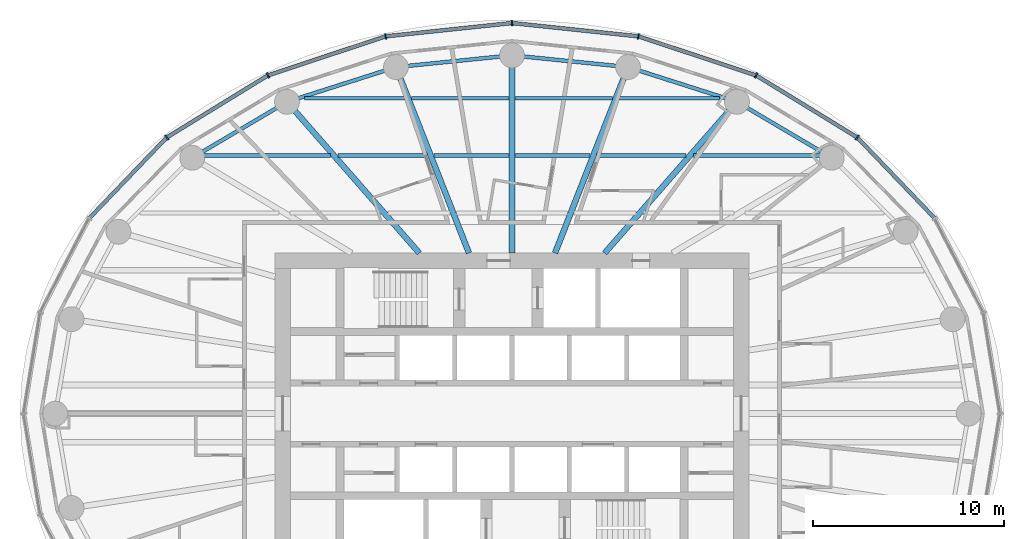
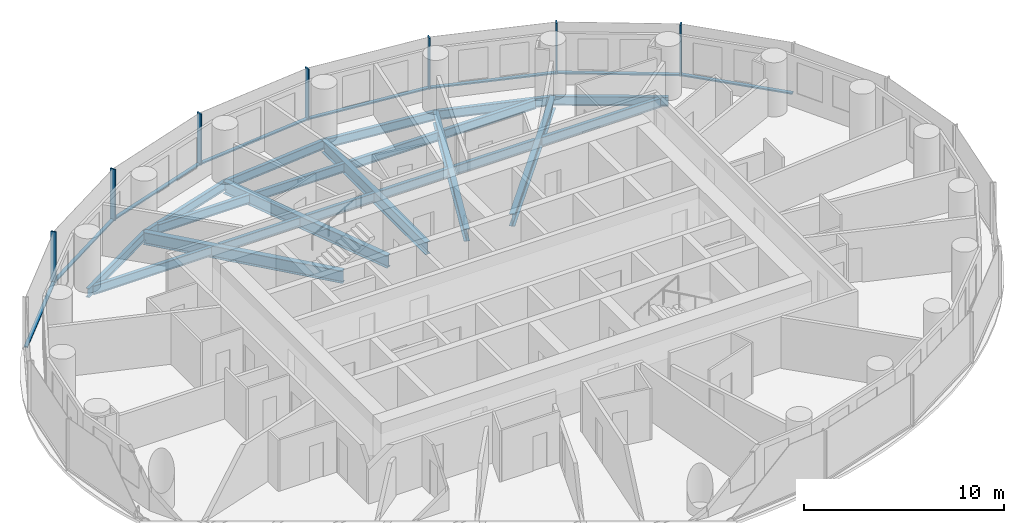
# One storey, part 4 of 13: 21 beams, 15 members, 2 elements without a shape of their own.
"""IFC4 building model written with IfcOpenShell, lengths in metres."""

from ifc_helpers import new_model, si_unit, direction, frame, origin, origin_2d, place, context, subcontext, project, spatial, rectangle, i_section, extrude, material, material_profile, profile_set, type_object, element, aggregate, save


model = new_model("IFC4")

# Units and contexts
model_context = context("Model", 3, precision=1e-05, world=origin(), true_north=direction((0.0, 1.0)))
body_context = subcontext(model_context, "Body", "Model", "MODEL_VIEW")
ifc_project = project(units=[si_unit("LENGTHUNIT", "METRE"), si_unit("AREAUNIT", "SQUARE_METRE"), si_unit("VOLUMEUNIT", "CUBIC_METRE"), si_unit("PLANEANGLEUNIT", "RADIAN"), si_unit("MASSUNIT", "GRAM", prefix="KILO")], contexts=[model_context])

# Site, building, storey
site_placement = place(None, origin())
site = spatial("IfcSite", under=ifc_project, at=site_placement, CompositionType="ELEMENT")
building_placement = place(site_placement, origin())
building = spatial("IfcBuilding", under=site, at=building_placement, Name="Hankou Lantern Tower", CompositionType="ELEMENT")
storey_placement = place(building_placement, frame((0.0, 0.0, 118.800048828125)))
storey = spatial("IfcBuildingStorey", under=building, at=storey_placement, Name="L30", CompositionType="ELEMENT", Elevation=118.800048828125)

# Beams
ifc_material_1 = material(Name="Steel Q355B", Category="steel")
ifc_material_profile_1 = material_profile(ifc_material_1, i_section(OverallWidth=0.199951171875, OverallDepth=0.550048828125, WebThickness=0.010009765625, FlangeThickness=0.01611328125, FilletRadius=0.012939453125, at=origin_2d()), Name="HN550x200x10x16")
ifc_profile_set_1 = profile_set([ifc_material_profile_1], Name="Steel Q355B")
beam_type_1 = type_object("IfcBeamType", Name="EB6 RING BEAM HN550x200x10x16", PredefinedType="SPANDREL", material=ifc_profile_set_1)
beam_1_placement = place(storey_placement, frame((16.73388671875, 13.38720703125, -0.455078125), z_axis=(-0.860988974188, 0.508623619513, 0.0), x_axis=(-0.508623619513, -0.860988974188, 0.0)))
element("IfcBeam", 1, at=beam_1_placement, inside=storey, type_object=beam_type_1, Name="Ring beam R04-R05 L30", PredefinedType="SPANDREL", context=body_context, shape_type="SweptSolid", body=[
    extrude(i_section(OverallWidth=0.199951171875, OverallDepth=0.550048828125, WebThickness=0.010009765625, FlangeThickness=0.01611328125, FilletRadius=0.012939453125, at=origin_2d()), origin(), (0.0, 0.0, 1.0), 5.759033203125),
])
beam_2_placement = place(storey_placement, frame((11.775390625, 16.31640625, -0.455078125), z_axis=(-0.952731090451, 0.303814860215, 0.0), x_axis=(-0.303814860215, -0.952731090451, 0.0)))
element("IfcBeam", 2, at=beam_2_placement, inside=storey, type_object=beam_type_1, Name="Ring beam R05-R06 L30", PredefinedType="SPANDREL", context=body_context, shape_type="SweptSolid", body=[
    extrude(i_section(OverallWidth=0.199951171875, OverallDepth=0.550048828125, WebThickness=0.010009765625, FlangeThickness=0.01611328125, FilletRadius=0.012939453125, at=origin_2d()), origin(), (0.0, 0.0, 1.0), 5.984375),
])
for number, where, z_axis, x_axis, name in (
    (3, (6.073974609375, 18.134521484375, -0.455078125), (-0.994905271594, 0.100814188259, 0.0), (-0.100814188259, -0.994905271594, 0.0), "Ring beam R06-R07 L30"),
    (4, (0.0, 18.75, -0.455078125), (-0.994905271594, -0.100814188259, 0.0), (0.100814188259, -0.994905271594, 0.0), "Ring beam R07-R08 L30"),
):
    element("IfcBeam", number, at=place(storey_placement, frame(where, z_axis=z_axis, x_axis=x_axis)), inside=storey, type_object=beam_type_1, Name=name, PredefinedType="SPANDREL", context=body_context, shape_type="SweptSolid", body=[
        extrude(i_section(OverallWidth=0.199951171875, OverallDepth=0.550048828125, WebThickness=0.010009765625, FlangeThickness=0.01611328125, FilletRadius=0.012939453125, at=origin_2d()), origin(), (0.0, 0.0, 1.0), 6.10498046875),
    ])
beam_3_placement = place(storey_placement, frame((-6.073974609375, 18.134521484375, -0.455078125), z_axis=(-0.952731090451, -0.303814860215, 0.0), x_axis=(0.303814860215, -0.952731090451, 0.0)))
element("IfcBeam", 5, at=beam_3_placement, inside=storey, type_object=beam_type_1, Name="Ring beam R08-R09 L30", PredefinedType="SPANDREL", context=body_context, shape_type="SweptSolid", body=[
    extrude(i_section(OverallWidth=0.199951171875, OverallDepth=0.550048828125, WebThickness=0.010009765625, FlangeThickness=0.01611328125, FilletRadius=0.012939453125, at=origin_2d()), origin(), (0.0, 0.0, 1.0), 5.984375),
])
beam_4_placement = place(storey_placement, frame((-11.775390625, 16.31640625, -0.455078125), z_axis=(-0.860988974188, -0.508623619513, 0.0), x_axis=(0.508623619513, -0.860988974188, 0.0)))
element("IfcBeam", 6, at=beam_4_placement, inside=storey, type_object=beam_type_1, Name="Ring beam R09-R10 L30", PredefinedType="SPANDREL", context=body_context, shape_type="SweptSolid", body=[
    extrude(i_section(OverallWidth=0.199951171875, OverallDepth=0.550048828125, WebThickness=0.010009765625, FlangeThickness=0.01611328125, FilletRadius=0.012939453125, at=origin_2d()), origin(), (0.0, 0.0, 1.0), 5.759033203125),
])

# Curtain wall, members
ifc_material_2 = material(Name="Glass, dark grey tinted laminated", Category="glass")
curtain_wall_type = type_object("IfcCurtainWallType", Name="CWB OUTER SKIN MID-RISE", PredefinedType="USERDEFINED", material=ifc_material_2)
curtain_wall_1_placement = place(storey_placement, origin())
curtain_wall_1 = element("IfcCurtainWall", 7, at=curtain_wall_1_placement, inside=storey, type_object=curtain_wall_type, Name="CWB L30 OS1", ObjectType="OUTER SKIN MID-RISE", PredefinedType="USERDEFINED")
ifc_material_3 = material(Name="Aluminium, black anodised", Category="aluminium")
ifc_material_profile_2 = material_profile(ifc_material_3, rectangle(XDim=0.080078125, YDim=0.300048828125, at=origin_2d()), Name="MU1 80X300")
ifc_profile_set_2 = profile_set([ifc_material_profile_2], Name="Aluminium, black anodised")
member_type_1 = type_object("IfcMemberType", Name="MU1 OUTER SKIN MULLION 80X300", PredefinedType="MULLION", material=ifc_profile_set_2)
member_1_placement = place(storey_placement, frame((18.066650390625, 14.453369140625, 0.0), z_axis=(0.0, 0.0, 1.0), x_axis=(-0.780868809444, 0.624695047553, 0.0)))
member_1 = element("IfcMember", 8, at=member_1_placement, type_object=member_type_1, Name="CWB mullion 4", PredefinedType="MULLION", context=body_context, shape_type="SweptSolid", body=[
    extrude(rectangle(XDim=0.080078125, YDim=0.300048828125, at=origin_2d()), origin(), (0.0, 0.0, 1.0), 3.119873046875),
])
member_2_placement = place(storey_placement, frame((12.77490234375, 17.70166015625, 0.0), z_axis=(0.0, 0.0, 1.0), x_axis=(-0.907841299004, 0.419313934686, 0.0)))
member_2 = element("IfcMember", 9, at=member_2_placement, type_object=member_type_1, Name="CWB mullion 5", PredefinedType="MULLION", context=body_context, shape_type="SweptSolid", body=[
    extrude(rectangle(XDim=0.080078125, YDim=0.300048828125, at=origin_2d()), origin(), (0.0, 0.0, 1.0), 3.119873046875),
])
member_3_placement = place(storey_placement, frame((6.61279296875, 19.743408203125, 0.0), z_axis=(0.0, 0.0, 1.0), x_axis=(-0.977787659625, 0.209597931016, 0.0)))
member_3 = element("IfcMember", 10, at=member_3_placement, type_object=member_type_1, Name="CWB mullion 6", PredefinedType="MULLION", context=body_context, shape_type="SweptSolid", body=[
    extrude(rectangle(XDim=0.080078125, YDim=0.300048828125, at=origin_2d()), origin(), (0.0, 0.0, 1.0), 3.119873046875),
])

curtain_wall_2_placement = place(storey_placement, origin())
curtain_wall_2 = element("IfcCurtainWall", 11, at=curtain_wall_2_placement, inside=storey, type_object=curtain_wall_type, Name="CWB L30 OS2", ObjectType="OUTER SKIN MID-RISE", PredefinedType="USERDEFINED")
member_4_placement = place(storey_placement, frame((0.0, 20.43994140625, 0.0), z_axis=(0.0, 0.0, 1.0), x_axis=(-0.994499359107, -0.104742659579, 0.0)))
member_4 = element("IfcMember", 12, at=member_4_placement, type_object=member_type_1, Name="CWB mullion 1", PredefinedType="MULLION", context=body_context, shape_type="SweptSolid", body=[
    extrude(rectangle(XDim=0.080078125, YDim=0.300048828125, at=origin_2d()), origin(), (0.0, 0.0, 1.0), 3.119873046875),
])
member_5_placement = place(storey_placement, frame((-6.61279296875, 19.743408203125, 0.0), z_axis=(0.0, 0.0, 1.0), x_axis=(-0.977787659625, -0.209597931016, 0.0)))
member_5 = element("IfcMember", 13, at=member_5_placement, type_object=member_type_1, Name="CWB mullion 2", PredefinedType="MULLION", context=body_context, shape_type="SweptSolid", body=[
    extrude(rectangle(XDim=0.080078125, YDim=0.300048828125, at=origin_2d()), origin(), (0.0, 0.0, 1.0), 3.119873046875),
])
member_6_placement = place(storey_placement, frame((-12.77490234375, 17.70166015625, 0.0), z_axis=(0.0, 0.0, 1.0), x_axis=(-0.907841299004, -0.419313934686, 0.0)))
member_6 = element("IfcMember", 14, at=member_6_placement, type_object=member_type_1, Name="CWB mullion 3", PredefinedType="MULLION", context=body_context, shape_type="SweptSolid", body=[
    extrude(rectangle(XDim=0.080078125, YDim=0.300048828125, at=origin_2d()), origin(), (0.0, 0.0, 1.0), 3.119873046875),
])
member_7_placement = place(storey_placement, frame((-18.066650390625, 14.453369140625, 0.0), z_axis=(0.0, 0.0, 1.0), x_axis=(-0.780868809444, -0.624695047553, 0.0)))
member_7 = element("IfcMember", 15, at=member_7_placement, type_object=member_type_1, Name="CWB mullion 4", PredefinedType="MULLION", context=body_context, shape_type="SweptSolid", body=[
    extrude(rectangle(XDim=0.080078125, YDim=0.300048828125, at=origin_2d()), origin(), (0.0, 0.0, 1.0), 3.119873046875),
])

# Beams
ifc_material_4 = material(Name="Steel Q355B", Category="steel")
ifc_material_profile_3 = material_profile(ifc_material_4, i_section(OverallWidth=0.300048828125, OverallDepth=0.75, WebThickness=0.012939453125, FlangeThickness=0.02392578125, FilletRadius=0.01806640625, at=origin_2d()), Name="HN750x300x13x24")
ifc_profile_set_3 = profile_set([ifc_material_profile_3], Name="Steel Q355B")
beam_type_2 = type_object("IfcBeamType", Name="RB10 RADIAL BEAM HN750x300x13x24", PredefinedType="BEAM", material=ifc_profile_set_3)
beam_5_placement = place(storey_placement, frame((4.849853515625, 8.39990234375, -0.554931640625), z_axis=(0.658429014446, 0.752642832249, 0.0), x_axis=(-0.752642832249, 0.658429014446, 0.0)))
element("IfcBeam", 16, at=beam_5_placement, inside=storey, type_object=beam_type_2, Name="Radial beam R05 L30", PredefinedType="BEAM", context=body_context, shape_type="SweptSolid", body=[
    extrude(i_section(OverallWidth=0.300048828125, OverallDepth=0.75, WebThickness=0.012939453125, FlangeThickness=0.02392578125, FilletRadius=0.01806640625, at=origin_2d()), origin(), (0.0, 0.0, 1.0), 10.518310546875),
])
beam_6_placement = place(storey_placement, frame((2.250732421875, 8.39990234375, -0.554931640625), z_axis=(0.365563535437, 0.930786388791, 0.0), x_axis=(-0.930786388791, 0.365563535437, 0.0)))
element("IfcBeam", 17, at=beam_6_placement, inside=storey, type_object=beam_type_2, Name="Radial beam R06 L30", PredefinedType="BEAM", context=body_context, shape_type="SweptSolid", body=[
    extrude(i_section(OverallWidth=0.300048828125, OverallDepth=0.75, WebThickness=0.012939453125, FlangeThickness=0.02392578125, FilletRadius=0.01806640625, at=origin_2d()), origin(), (0.0, 0.0, 1.0), 10.45849609375),
])
beam_7_placement = place(storey_placement, frame((0.0, 8.39990234375, -0.554931640625), z_axis=(0.0, 1.0, 0.0), x_axis=(-1.0, 0.0, 0.0)))
element("IfcBeam", 18, at=beam_7_placement, inside=storey, type_object=beam_type_2, Name="Radial beam R07 L30", PredefinedType="BEAM", context=body_context, shape_type="SweptSolid", body=[
    extrude(i_section(OverallWidth=0.300048828125, OverallDepth=0.75, WebThickness=0.012939453125, FlangeThickness=0.02392578125, FilletRadius=0.01806640625, at=origin_2d()), origin(), (0.0, 0.0, 1.0), 10.35009765625),
])
beam_8_placement = place(storey_placement, frame((-2.250732421875, 8.39990234375, -0.554931640625), z_axis=(-0.365563535437, 0.930786388791, 0.0), x_axis=(-0.930786388791, -0.365563535437, 0.0)))
element("IfcBeam", 19, at=beam_8_placement, inside=storey, type_object=beam_type_2, Name="Radial beam R08 L30", PredefinedType="BEAM", context=body_context, shape_type="SweptSolid", body=[
    extrude(i_section(OverallWidth=0.300048828125, OverallDepth=0.75, WebThickness=0.012939453125, FlangeThickness=0.02392578125, FilletRadius=0.01806640625, at=origin_2d()), origin(), (0.0, 0.0, 1.0), 10.45849609375),
])
beam_9_placement = place(storey_placement, frame((-4.849853515625, 8.39990234375, -0.554931640625), z_axis=(-0.658429014446, 0.752642832249, 0.0), x_axis=(-0.752642832249, -0.658429014446, 0.0)))
element("IfcBeam", 20, at=beam_9_placement, inside=storey, type_object=beam_type_2, Name="Radial beam R09 L30", PredefinedType="BEAM", context=body_context, shape_type="SweptSolid", body=[
    extrude(i_section(OverallWidth=0.300048828125, OverallDepth=0.75, WebThickness=0.012939453125, FlangeThickness=0.02392578125, FilletRadius=0.01806640625, at=origin_2d()), origin(), (0.0, 0.0, 1.0), 10.518310546875),
])
ifc_material_5 = material(Name="Steel Q355B", Category="steel")
ifc_material_profile_4 = material_profile(ifc_material_5, i_section(OverallWidth=0.199951171875, OverallDepth=0.550048828125, WebThickness=0.010009765625, FlangeThickness=0.01611328125, FilletRadius=0.012939453125, at=origin_2d()), Name="HN550x200x10x16")
ifc_profile_set_4 = profile_set([ifc_material_profile_4], Name="Steel Q355B")
beam_type_3 = type_object("IfcBeamType", Name="SB6 SECONDARY BEAM HN550x200x10x16", PredefinedType="JOIST", material=ifc_profile_set_4)
beam_10_placement = place(storey_placement, frame((-16.34619140625, 13.5, -0.455078125), z_axis=(1.0, 0.0, 0.0), x_axis=(0.0, 1.0, 0.0)))
element("IfcBeam", 21, at=beam_10_placement, inside=storey, type_object=beam_type_3, Name="Floor joist J043 L30", PredefinedType="JOIST", context=body_context, shape_type="SweptSolid", body=[
    extrude(i_section(OverallWidth=0.199951171875, OverallDepth=0.550048828125, WebThickness=0.010009765625, FlangeThickness=0.01611328125, FilletRadius=0.012939453125, at=origin_2d()), origin(), (0.0, 0.0, 1.0), 6.83544921875),
])
beam_11_placement = place(storey_placement, frame((-9.112060546875, 13.5, -0.455078125), z_axis=(1.0, 0.0, 0.0), x_axis=(0.0, 1.0, 0.0)))
element("IfcBeam", 22, at=beam_11_placement, inside=storey, type_object=beam_type_3, Name="Floor joist J044 L30", PredefinedType="JOIST", context=body_context, shape_type="SweptSolid", body=[
    extrude(i_section(OverallWidth=0.199951171875, OverallDepth=0.550048828125, WebThickness=0.010009765625, FlangeThickness=0.01611328125, FilletRadius=0.012939453125, at=origin_2d()), origin(), (0.0, 0.0, 1.0), 4.697021484375),
])
for number, where, z_axis, x_axis, name in (
    (23, (-4.092529296875, 13.5, -0.455078125), (1.0, 0.0, 0.0), (0.0, 1.0, 0.0), "Floor joist J045 L30"),
    (24, (0.14990234375, 13.5, -0.455078125), (1.0, 0.0, 0.0), (0.0, 1.0, 0.0), "Floor joist J046 L30"),
):
    element("IfcBeam", number, at=place(storey_placement, frame(where, z_axis=z_axis, x_axis=x_axis)), inside=storey, type_object=beam_type_3, Name=name, PredefinedType="JOIST", context=body_context, shape_type="SweptSolid", body=[
        extrude(i_section(OverallWidth=0.199951171875, OverallDepth=0.550048828125, WebThickness=0.010009765625, FlangeThickness=0.01611328125, FilletRadius=0.012939453125, at=origin_2d()), origin(), (0.0, 0.0, 1.0), 3.942626953125),
    ])
beam_12_placement = place(storey_placement, frame((4.4150390625, 13.5, -0.455078125), z_axis=(1.0, 0.0, 0.0), x_axis=(0.0, 1.0, 0.0)))
element("IfcBeam", 25, at=beam_12_placement, inside=storey, type_object=beam_type_3, Name="Floor joist J047 L30", PredefinedType="JOIST", context=body_context, shape_type="SweptSolid", body=[
    extrude(i_section(OverallWidth=0.199951171875, OverallDepth=0.550048828125, WebThickness=0.010009765625, FlangeThickness=0.01611328125, FilletRadius=0.012939453125, at=origin_2d()), origin(), (0.0, 0.0, 1.0), 4.697021484375),
])
beam_13_placement = place(storey_placement, frame((9.5107421875, 13.5, -0.455078125), z_axis=(1.0, 0.0, 0.0), x_axis=(0.0, 1.0, 0.0)))
element("IfcBeam", 26, at=beam_13_placement, inside=storey, type_object=beam_type_3, Name="Floor joist J048 L30", PredefinedType="JOIST", context=body_context, shape_type="SweptSolid", body=[
    extrude(i_section(OverallWidth=0.199951171875, OverallDepth=0.550048828125, WebThickness=0.010009765625, FlangeThickness=0.01611328125, FilletRadius=0.012939453125, at=origin_2d()), origin(), (0.0, 0.0, 1.0), 6.83544921875),
])
beam_14_placement = place(storey_placement, frame((-10.8701171875, 16.5, -0.455078125), z_axis=(1.0, 0.0, 0.0), x_axis=(0.0, 1.0, 0.0)))
element("IfcBeam", 27, at=beam_14_placement, inside=storey, type_object=beam_type_3, Name="Floor joist J049 L30", PredefinedType="JOIST", context=body_context, shape_type="SweptSolid", body=[
    extrude(i_section(OverallWidth=0.199951171875, OverallDepth=0.550048828125, WebThickness=0.010009765625, FlangeThickness=0.01611328125, FilletRadius=0.012939453125, at=origin_2d()), origin(), (0.0, 0.0, 1.0), 5.27685546875),
])
for number, where, z_axis, x_axis, name in (
    (28, (-5.270751953125, 16.5, -0.455078125), (1.0, 0.0, 0.0), (0.0, 1.0, 0.0), "Floor joist J050 L30"),
    (29, (0.14990234375, 16.5, -0.455078125), (1.0, 0.0, 0.0), (0.0, 1.0, 0.0), "Floor joist J051 L30"),
):
    element("IfcBeam", number, at=place(storey_placement, frame(where, z_axis=z_axis, x_axis=x_axis)), inside=storey, type_object=beam_type_3, Name=name, PredefinedType="JOIST", context=body_context, shape_type="SweptSolid", body=[
        extrude(i_section(OverallWidth=0.199951171875, OverallDepth=0.550048828125, WebThickness=0.010009765625, FlangeThickness=0.01611328125, FilletRadius=0.012939453125, at=origin_2d()), origin(), (0.0, 0.0, 1.0), 5.120849609375),
    ])
beam_15_placement = place(storey_placement, frame((5.59326171875, 16.5, -0.455078125), z_axis=(1.0, 0.0, 0.0), x_axis=(0.0, 1.0, 0.0)))
element("IfcBeam", 30, at=beam_15_placement, inside=storey, type_object=beam_type_3, Name="Floor joist J052 L30", PredefinedType="JOIST", context=body_context, shape_type="SweptSolid", body=[
    extrude(i_section(OverallWidth=0.199951171875, OverallDepth=0.550048828125, WebThickness=0.010009765625, FlangeThickness=0.01611328125, FilletRadius=0.012939453125, at=origin_2d()), origin(), (0.0, 0.0, 1.0), 5.27685546875),
])

# Member
ifc_material_6 = material(Name="Aluminium, black anodised", Category="aluminium")
ifc_material_profile_5 = material_profile(ifc_material_6, rectangle(XDim=0.199951171875, YDim=0.080078125, at=origin_2d()), Name="TR1 200X80")
ifc_profile_set_5 = profile_set([ifc_material_profile_5], Name="Aluminium, black anodised")
member_type_2 = type_object("IfcMemberType", Name="TR1 OUTER SKIN TRANSOM 200X80", PredefinedType="USERDEFINED", material=ifc_profile_set_5)
member_8_placement = place(storey_placement, frame((22.099365234375, 10.248779296875, 0.0400390625), z_axis=(-0.692226977748, 0.721679853729, 0.0), x_axis=(-0.721679853729, -0.692226977748, 0.0)))
member_8 = element("IfcMember", 31, at=member_8_placement, type_object=member_type_2, Name="CWB transom 3", ObjectType="TRANSOM", PredefinedType="USERDEFINED", context=body_context, shape_type="SweptSolid", body=[
    extrude(rectangle(XDim=0.199951171875, YDim=0.080078125, at=origin_2d()), origin(), (0.0, 0.0, 1.0), 5.785888671875),
])

member_9_placement = place(storey_placement, frame((18.032470703125, 14.47412109375, 0.0400390625), z_axis=(-0.852229492169, 0.523168130411, 0.0), x_axis=(-0.523168130411, -0.852229492169, 0.0)))
member_9 = element("IfcMember", 32, at=member_9_placement, type_object=member_type_2, Name="CWB transom 4", ObjectType="TRANSOM", PredefinedType="USERDEFINED", context=body_context, shape_type="SweptSolid", body=[
    extrude(rectangle(XDim=0.199951171875, YDim=0.080078125, at=origin_2d()), origin(), (0.0, 0.0, 1.0), 6.129150390625),
])

member_10_placement = place(storey_placement, frame((12.737060546875, 17.714111328125, 0.0400390625), z_axis=(-0.949237765745, 0.314559476225, 0.0), x_axis=(-0.314559476225, -0.949237765745, 0.0)))
member_10 = element("IfcMember", 33, at=member_10_placement, type_object=member_type_2, Name="CWB transom 5", ObjectType="TRANSOM", PredefinedType="USERDEFINED", context=body_context, shape_type="SweptSolid", body=[
    extrude(rectangle(XDim=0.199951171875, YDim=0.080078125, at=origin_2d()), origin(), (0.0, 0.0, 1.0), 6.41162109375),
])

member_11_placement = place(storey_placement, frame((6.572998046875, 19.747802734375, 0.0400390625), z_axis=(-0.994500972001, 0.10472734451, 0.0), x_axis=(-0.10472734451, -0.994500972001, 0.0)))
member_11 = element("IfcMember", 34, at=member_11_placement, type_object=member_type_2, Name="CWB transom 6", ObjectType="TRANSOM", PredefinedType="USERDEFINED", context=body_context, shape_type="SweptSolid", body=[
    extrude(rectangle(XDim=0.199951171875, YDim=0.080078125, at=origin_2d()), origin(), (0.0, 0.0, 1.0), 6.5693359375),
])

aggregate(curtain_wall_1, [member_1, member_2, member_3, member_8, member_9, member_10, member_11])

member_12_placement = place(storey_placement, frame((-0.039794921875, 20.435791015625, 0.0400390625), z_axis=(-0.994500972001, -0.10472734451, 0.0), x_axis=(0.10472734451, -0.994500972001, 0.0)))
member_12 = element("IfcMember", 35, at=member_12_placement, type_object=member_type_2, Name="CWB transom 1", ObjectType="TRANSOM", PredefinedType="USERDEFINED", context=body_context, shape_type="SweptSolid", body=[
    extrude(rectangle(XDim=0.199951171875, YDim=0.080078125, at=origin_2d()), origin(), (0.0, 0.0, 1.0), 6.5693359375),
])

member_13_placement = place(storey_placement, frame((-6.65087890625, 19.73095703125, 0.0400390625), z_axis=(-0.949237765745, -0.314559476225, 0.0), x_axis=(0.314559476225, -0.949237765745, 0.0)))
member_13 = element("IfcMember", 36, at=member_13_placement, type_object=member_type_2, Name="CWB transom 2", ObjectType="TRANSOM", PredefinedType="USERDEFINED", context=body_context, shape_type="SweptSolid", body=[
    extrude(rectangle(XDim=0.199951171875, YDim=0.080078125, at=origin_2d()), origin(), (0.0, 0.0, 1.0), 6.41162109375),
])

member_14_placement = place(storey_placement, frame((-12.80908203125, 17.6806640625, 0.0400390625), z_axis=(-0.852229492169, -0.523168130411, 0.0), x_axis=(0.523168130411, -0.852229492169, 0.0)))
member_14 = element("IfcMember", 37, at=member_14_placement, type_object=member_type_2, Name="CWB transom 3", ObjectType="TRANSOM", PredefinedType="USERDEFINED", context=body_context, shape_type="SweptSolid", body=[
    extrude(rectangle(XDim=0.199951171875, YDim=0.080078125, at=origin_2d()), origin(), (0.0, 0.0, 1.0), 6.129150390625),
])

member_15_placement = place(storey_placement, frame((-18.09423828125, 14.42431640625, 0.0400390625), z_axis=(-0.692226977748, -0.721679853729, 0.0), x_axis=(0.721679853729, -0.692226977748, 0.0)))
member_15 = element("IfcMember", 38, at=member_15_placement, type_object=member_type_2, Name="CWB transom 4", ObjectType="TRANSOM", PredefinedType="USERDEFINED", context=body_context, shape_type="SweptSolid", body=[
    extrude(rectangle(XDim=0.199951171875, YDim=0.080078125, at=origin_2d()), origin(), (0.0, 0.0, 1.0), 5.785888671875),
])

aggregate(curtain_wall_2, [member_4, member_5, member_6, member_7, member_12, member_13, member_14, member_15])

save(model, "model.ifc")
